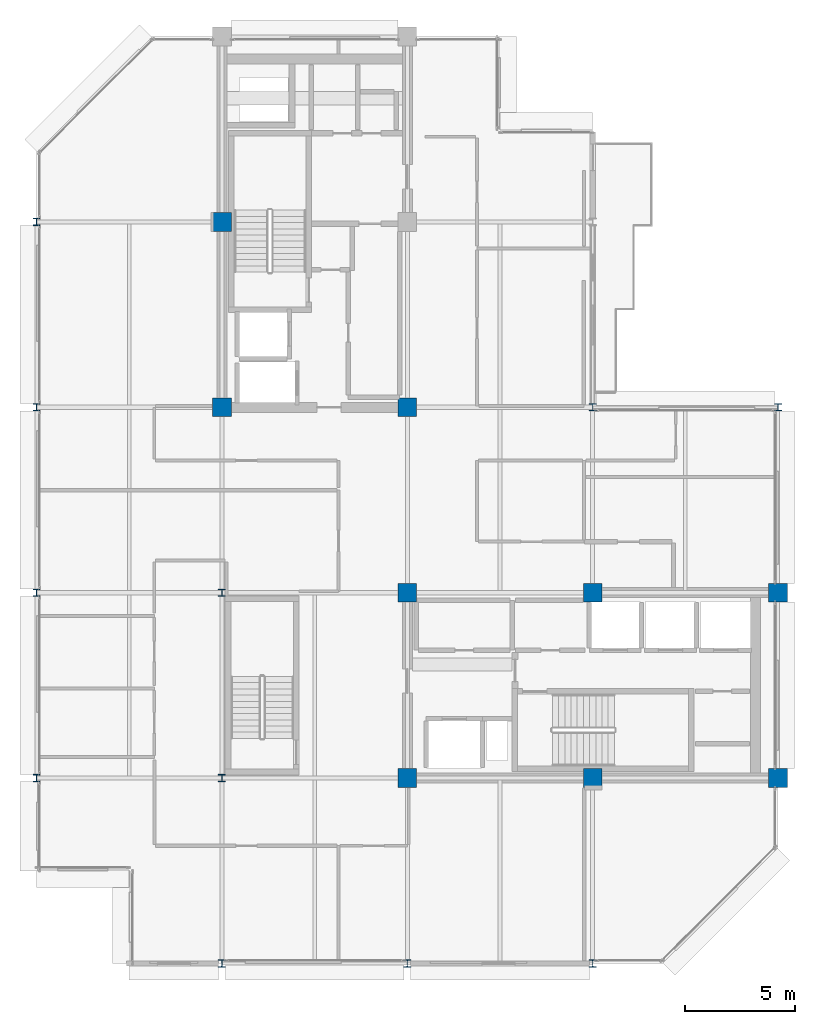
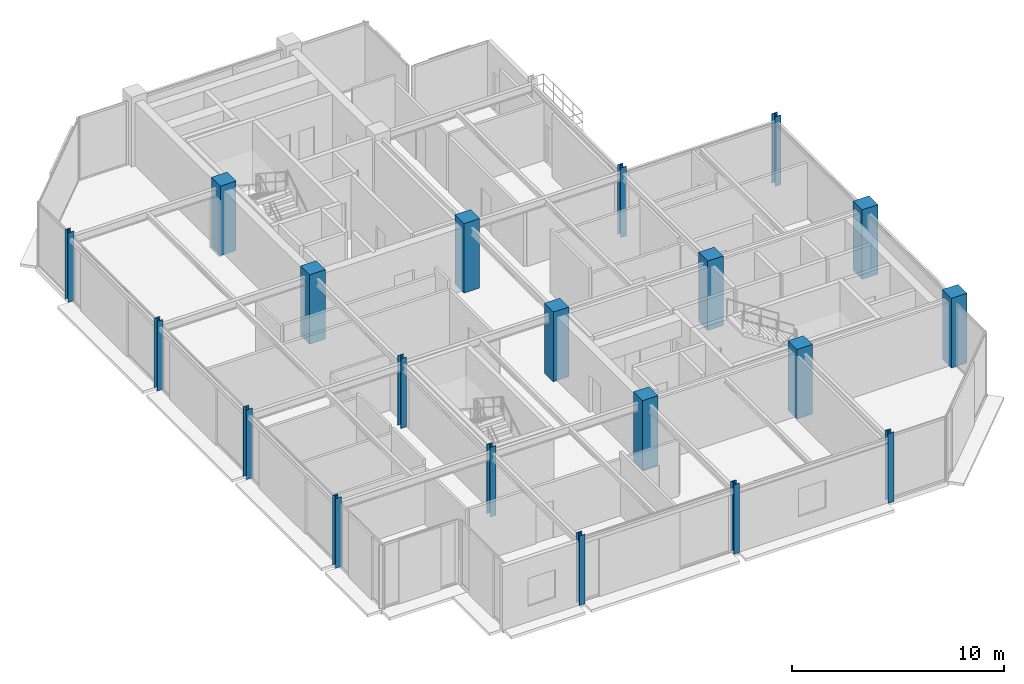
# One storey, part 1 of 25: 20 columns.
"""IFC4 building model written with IfcOpenShell, lengths in metres."""

import ifcopenshell
import ifcopenshell.guid

model = None  # the IFC model being written
_history = None  # IfcOwnerHistory: only IFC2X3 demands one
_inside = {}  # id of a spatial element -> (the spatial element, [elements in it])
_under = {}  # id of a project, library or spatial element -> (it, [spatial elements below it])
_declared = {}  # id of a project -> (the project, [libraries it declares])
_typed = {}  # id of a type object -> (the type object, [elements of that type])
_made_of = {}  # id of a material, layer set ... -> (it, [elements and type objects made of it])


def new_model(schema):
    """Start an empty IFC model of exactly this schema.

    Asked for "IFC4X3", IfcOpenShell would pick the latest addendum, in which some entities
    have other attributes; the version numbers below select the first issue.
    IFC2X3 requires an IfcOwnerHistory on every rooted entity: one is made here for all.
    """
    global model, _history
    if schema == "IFC4X3":
        model = ifcopenshell.file(schema_version=(4, 3, 0, 0))
    else:
        model = ifcopenshell.file(schema=schema)
    _inside.clear()
    _under.clear()
    _declared.clear()
    _typed.clear()
    _made_of.clear()
    _history = None
    if model.schema == "IFC2X3":
        org = make("IfcOrganization", Name="unknown")
        user = make(
            "IfcPersonAndOrganization",
            ThePerson=make("IfcPerson", FamilyName="unknown"),
            TheOrganization=org,
        )
        app = make(
            "IfcApplication",
            ApplicationDeveloper=org,
            Version="unknown",
            ApplicationFullName="unknown",
            ApplicationIdentifier="unknown",
        )
        _history = make(
            "IfcOwnerHistory",
            OwningUser=user,
            OwningApplication=app,
            ChangeAction="ADDED",
            CreationDate=0,
        )
    return model


def make(cls, **values):
    """One entity of the class cls with the attributes given. An attribute that is None is left unset."""
    return model.create_entity(
        cls, **{name: value for name, value in values.items() if value is not None}
    )


def rooted(cls, **values):
    """An entity with a GlobalId (a new one), such as an element, a storey or a relation."""
    return make(cls, GlobalId=ifcopenshell.guid.new(), OwnerHistory=_history, **values)


def si_unit(unit_type, name, prefix=None):
    """IfcSIUnit, for example si_unit("LENGTHUNIT", "METRE", prefix="MILLI")."""
    return make("IfcSIUnit", UnitType=unit_type, Prefix=prefix, Name=name)


def assignment(units):
    """IfcUnitAssignment: the units of a project."""
    return None if units is None else make("IfcUnitAssignment", Units=units)


def point(xyz):
    """IfcCartesianPoint."""
    return None if xyz is None else make("IfcCartesianPoint", Coordinates=xyz)


def direction(xyz):
    """IfcDirection."""
    return None if xyz is None else make("IfcDirection", DirectionRatios=xyz)


def frame(location, z_axis=None, x_axis=None):
    """IfcAxis2Placement3D, a coordinate frame: its origin and axes. An axis left out is left unset."""
    return make(
        "IfcAxis2Placement3D",
        Location=point(location),
        Axis=direction(z_axis),
        RefDirection=direction(x_axis),
    )


def frame_2d(location, x_axis=None):
    """IfcAxis2Placement2D, a coordinate frame in the plane: its origin and x axis."""
    return make(
        "IfcAxis2Placement2D", Location=point(location), RefDirection=direction(x_axis)
    )


def origin():
    """The frame at (0, 0, 0) with its axes left unset."""
    return frame((0.0, 0.0, 0.0))


def origin_2d():
    """The frame at (0, 0) in the plane with its x axis left unset."""
    return frame_2d((0.0, 0.0))


def place(relative_to, where):
    """IfcLocalPlacement: puts the frame where relative to a parent placement (None: the world)."""
    return make(
        "IfcLocalPlacement", PlacementRelTo=relative_to, RelativePlacement=where
    )


def context(
    kind, dimensions, precision=None, world=None, true_north=None, identifier=None
):
    """IfcGeometricRepresentationContext, for example the 3D "Model" context."""
    return make(
        "IfcGeometricRepresentationContext",
        ContextIdentifier=identifier,
        ContextType=kind,
        CoordinateSpaceDimension=dimensions,
        Precision=precision,
        WorldCoordinateSystem=world,
        TrueNorth=true_north,
    )


def subcontext(parent, identifier, kind, view, scale=None):
    """IfcGeometricRepresentationSubContext, for example "Body" below "Model"."""
    return make(
        "IfcGeometricRepresentationSubContext",
        ContextIdentifier=identifier,
        ContextType=kind,
        ParentContext=parent,
        TargetScale=scale,
        TargetView=view,
    )


def project(units=None, contexts=None):
    """IfcProject with its units and contexts."""
    return rooted(
        "IfcProject",
        Name="project",
        RepresentationContexts=contexts,
        UnitsInContext=assignment(units),
    )


def spatial(cls, under=None, at=None, **own):
    """A site, building, storey or space (cls), placed at a placement, below another one or the project."""
    s = rooted(cls, ObjectPlacement=at, **own)
    if under is not None:
        _under.setdefault(under.id(), (under, []))[1].append(s)
    return s


def profile(cls, at=None, kind="AREA", **sizes):
    """A parametric profile (cls). Its sizes go by their IFC names, for example OverallWidth=200.0."""
    return make(cls, ProfileType=kind, Position=at, **sizes)


def rectangle(**sizes):
    """IfcRectangleProfileDef."""
    return profile("IfcRectangleProfileDef", **sizes)


def i_section(**sizes):
    """IfcIShapeProfileDef."""
    return profile("IfcIShapeProfileDef", **sizes)


def extrude(swept, where, along, depth):
    """IfcExtrudedAreaSolid: the profile swept, set in the frame where, extruded along a direction by depth."""
    return make(
        "IfcExtrudedAreaSolid",
        SweptArea=swept,
        Position=where,
        ExtrudedDirection=direction(along),
        Depth=depth,
    )


def shape(context_of_items, identifier, shape_type, items):
    """IfcShapeRepresentation: the items that make up one representation, for example the "Body"."""
    return make(
        "IfcShapeRepresentation",
        ContextOfItems=context_of_items,
        RepresentationIdentifier=identifier,
        RepresentationType=shape_type,
        Items=items,
    )


def material(Name=None, Category=None):
    """IfcMaterial."""
    return make("IfcMaterial", Name=Name, Category=Category)


def material_profile(
    of_material, cross_section, Name=None, Category=None, Priority=None
):
    """IfcMaterialProfile: a cross section and its material."""
    return make(
        "IfcMaterialProfile",
        Name=Name,
        Material=of_material,
        Profile=cross_section,
        Priority=Priority,
        Category=Category,
    )


def profile_set(profiles, Name=None, composite=None):
    """IfcMaterialProfileSet."""
    return make(
        "IfcMaterialProfileSet",
        Name=Name,
        MaterialProfiles=profiles,
        CompositeProfile=composite,
    )


def made_of(thing, what):
    """Note that an element or type object is made of a material, layer set ...; save() writes the relation."""
    if what is not None:
        _made_of.setdefault(what.id(), (what, []))[1].append(thing)
    return thing


def type_object(cls, material=None, **own):
    """A type object (cls), such as IfcWallType, which elements share."""
    return made_of(rooted(cls, **own), material)


def element(
    cls,
    number,
    at=None,
    inside=None,
    cuts=None,
    type_object=None,
    material=None,
    context=None,
    identifier="Body",
    shape_type=None,
    held_by="IfcProductDefinitionShape",
    body=None,
    shapes=None,
    **own,
):
    """One element of the class cls, such as IfcWall. Its Tag is "e" and its number.

    at: its placement. inside: the storey or other place that contains it. cuts: it is an
    opening in that element (IfcRelVoidsElement). A single representation is given by context,
    identifier, shape_type and body (its items); several are given by shapes. held_by: the class
    of the entity that holds the representations. save() writes the other relations.
    """
    e = rooted(cls, Tag="e%d" % number, ObjectPlacement=at, **own)
    if body is not None:
        shapes = [shape(context, identifier, shape_type, body)]
    if shapes is not None:
        e.Representation = make(held_by, Representations=shapes)
    if inside is not None:
        _inside.setdefault(inside.id(), (inside, []))[1].append(e)
    if cuts is not None:
        rooted(
            "IfcRelVoidsElement", RelatingBuildingElement=cuts, RelatedOpeningElement=e
        )
    if type_object is not None:
        _typed.setdefault(type_object.id(), (type_object, []))[1].append(e)
    return made_of(e, material)


def aggregate(whole, parts):
    """IfcRelAggregates: a whole, such as a stair, and the parts it consists of."""
    return rooted("IfcRelAggregates", RelatingObject=whole, RelatedObjects=parts)


def save(model, path):
    """Write the relations noted so far, then the file.

    IfcRelAggregates (storeys below a building ...), IfcRelContainedInSpatialStructure (elements
    in a storey), IfcRelDefinesByType, IfcRelAssociatesMaterial and IfcRelDeclares: one each for
    every whole, place, type object, material and project.
    """
    for whole, parts in _under.values():
        aggregate(whole, parts)
    for where, things in _inside.values():
        rooted(
            "IfcRelContainedInSpatialStructure",
            RelatedElements=things,
            RelatingStructure=where,
        )
    for kind, things in _typed.values():
        rooted("IfcRelDefinesByType", RelatedObjects=things, RelatingType=kind)
    for what, things in _made_of.values():
        rooted("IfcRelAssociatesMaterial", RelatedObjects=things, RelatingMaterial=what)
    for by, libraries in _declared.values():
        rooted("IfcRelDeclares", RelatingContext=by, RelatedDefinitions=libraries)
    model.write(path)


model = new_model("IFC4")

# Units and contexts
model_context = context("Model", 3, precision=1e-05, world=origin(), true_north=direction((0.0, 1.0)))
body_context = subcontext(model_context, "Body", "Model", "MODEL_VIEW")
ifc_project = project(units=[si_unit("LENGTHUNIT", "METRE"), si_unit("AREAUNIT", "SQUARE_METRE"), si_unit("VOLUMEUNIT", "CUBIC_METRE"), si_unit("PLANEANGLEUNIT", "RADIAN"), si_unit("MASSUNIT", "GRAM", prefix="KILO")], contexts=[model_context])

# Site, building, storey
site_placement = place(None, origin())
site = spatial("IfcSite", under=ifc_project, at=site_placement, CompositionType="ELEMENT")
building_placement = place(site_placement, origin())
building = spatial("IfcBuilding", under=site, at=building_placement, Name="Nerrivon Quay Data Exchange", CompositionType="ELEMENT")
storey_placement = place(building_placement, frame((0.0, 0.0, 318.199951171875)))
storey = spatial("IfcBuildingStorey", under=building, at=storey_placement, Name="L76", CompositionType="ELEMENT", Elevation=318.199951171875)

# Columns
ifc_material_1 = material(Name="Concrete N50 (50 MPa)", Category="concrete")
ifc_material_profile_1 = material_profile(ifc_material_1, rectangle(XDim=0.85009765625, YDim=0.85009765625, at=origin_2d()), Name="RC-COL-850x850")
ifc_profile_set_1 = profile_set([ifc_material_profile_1], Name="Concrete N50 (50 MPa)")
column_type_1 = type_object("IfcColumnType", Name="COL-C5-850", PredefinedType="COLUMN", material=ifc_profile_set_1)
for number, where, z_axis, x_axis, name in (
    (1, (8.39990234375, 25.199951171875, 0.0), (0.0, 0.0, 1.0), (1.0, 0.0, 0.0), "L76 Column (8.4,25.2)"),
    (2, (8.39990234375, 33.60009765625, 0.0), (0.0, 0.0, 1.0), (1.0, 0.0, 0.0), "L76 Column (8.4,33.6)"),
    (3, (16.800048828125, 8.39990234375, 0.0), (0.0, 0.0, 1.0), (1.0, 0.0, 0.0), "L76 Column (16.8,8.4)"),
    (4, (16.800048828125, 16.800048828125, 0.0), (0.0, 0.0, 1.0), (1.0, 0.0, 0.0), "L76 Column (16.8,16.8)"),
    (5, (16.800048828125, 25.199951171875, 0.0), (0.0, 0.0, 1.0), (1.0, 0.0, 0.0), "L76 Column (16.8,25.2)"),
    (6, (25.199951171875, 8.39990234375, 0.0), (0.0, 0.0, 1.0), (1.0, 0.0, 0.0), "L76 Column (25.2,8.4)"),
    (7, (25.199951171875, 16.800048828125, 0.0), (0.0, 0.0, 1.0), (1.0, 0.0, 0.0), "L76 Column (25.2,16.8)"),
    (8, (33.60009765625, 8.39990234375, 0.0), (0.0, 0.0, 1.0), (1.0, 0.0, 0.0), "L76 Column (33.6,8.4)"),
    (9, (33.60009765625, 16.800048828125, 0.0), (0.0, 0.0, 1.0), (1.0, 0.0, 0.0), "L76 Column (33.6,16.8)"),
):
    element("IfcColumn", number, at=place(storey_placement, frame(where, z_axis=z_axis, x_axis=x_axis)), inside=storey, type_object=column_type_1, Name=name, PredefinedType="COLUMN", context=body_context, shape_type="SweptSolid", body=[
        extrude(rectangle(XDim=0.85009765625, YDim=0.85009765625, at=origin_2d()), origin(), (0.0, 0.0, 1.0), 4.0),
    ])
ifc_material_2 = material(Name="Steel Grade 350", Category="steel")
ifc_material_profile_2 = material_profile(ifc_material_2, i_section(OverallWidth=0.31103515625, OverallDepth=0.326904296875, WebThickness=0.015625, FlangeThickness=0.02490234375, FilletRadius=0.0166015625, at=origin_2d()), Name="310UC158")
ifc_profile_set_2 = profile_set([ifc_material_profile_2], Name="Steel Grade 350")
column_type_2 = type_object("IfcColumnType", Name="COL-SC4-310UC158", PredefinedType="COLUMN", material=ifc_profile_set_2)
for number, where, z_axis, x_axis, name in (
    (10, (0.0, 8.39990234375, 0.0), (0.0, 0.0, 1.0), (1.0, 0.0, 0.0), "L76 Column (0.0,8.4)"),
    (11, (0.0, 16.800048828125, 0.0), (0.0, 0.0, 1.0), (1.0, 0.0, 0.0), "L76 Column (0.0,16.8)"),
    (12, (0.0, 25.199951171875, 0.0), (0.0, 0.0, 1.0), (1.0, 0.0, 0.0), "L76 Column (0.0,25.2)"),
    (13, (0.0, 33.60009765625, 0.0), (0.0, 0.0, 1.0), (1.0, 0.0, 0.0), "L76 Column (0.0,33.6)"),
    (14, (8.39990234375, 0.0, 0.0), (0.0, 0.0, 1.0), (1.0, 0.0, 0.0), "L76 Column (8.4,0.0)"),
    (15, (8.39990234375, 8.39990234375, 0.0), (0.0, 0.0, 1.0), (1.0, 0.0, 0.0), "L76 Column (8.4,8.4)"),
    (16, (8.39990234375, 16.800048828125, 0.0), (0.0, 0.0, 1.0), (1.0, 0.0, 0.0), "L76 Column (8.4,16.8)"),
    (17, (16.800048828125, 0.0, 0.0), (0.0, 0.0, 1.0), (1.0, 0.0, 0.0), "L76 Column (16.8,0.0)"),
    (18, (25.199951171875, 0.0, 0.0), (0.0, 0.0, 1.0), (1.0, 0.0, 0.0), "L76 Column (25.2,0.0)"),
    (19, (25.199951171875, 25.199951171875, 0.0), (0.0, 0.0, 1.0), (1.0, 0.0, 0.0), "L76 Column (25.2,25.2)"),
    (20, (33.60009765625, 25.199951171875, 0.0), (0.0, 0.0, 1.0), (1.0, 0.0, 0.0), "L76 Column (33.6,25.2)"),
):
    element("IfcColumn", number, at=place(storey_placement, frame(where, z_axis=z_axis, x_axis=x_axis)), inside=storey, type_object=column_type_2, Name=name, PredefinedType="COLUMN", context=body_context, shape_type="SweptSolid", body=[
        extrude(i_section(OverallWidth=0.31103515625, OverallDepth=0.326904296875, WebThickness=0.015625, FlangeThickness=0.02490234375, FilletRadius=0.0166015625, at=origin_2d()), origin(), (0.0, 0.0, 1.0), 4.0),
    ])

save(model, "model.ifc")
